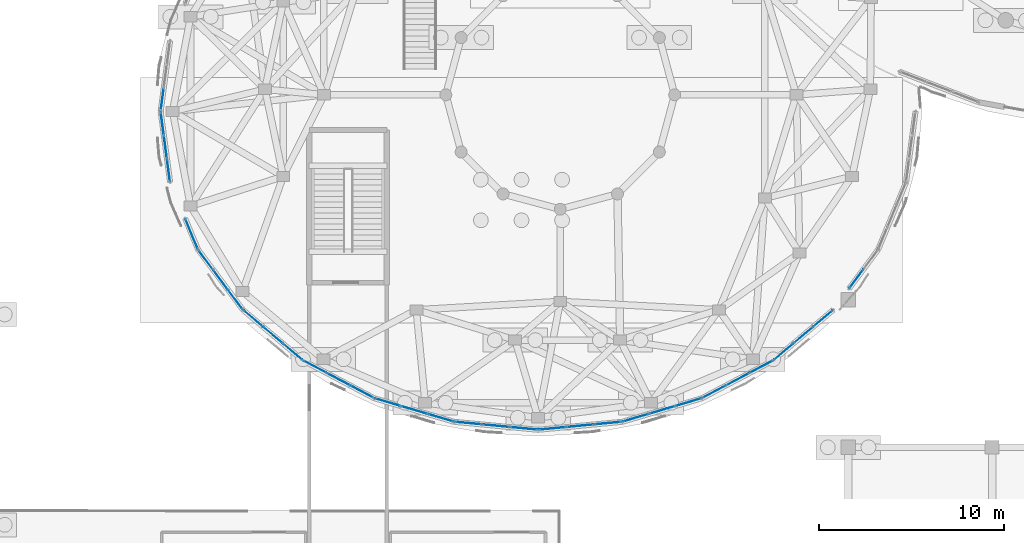
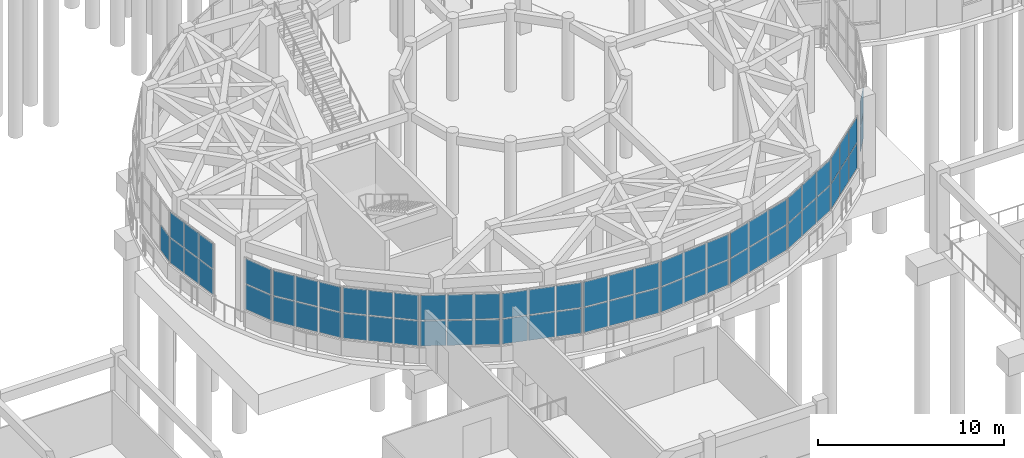
# One storey, part 59 of 96: 65 plates, 13 elements without a shape of their own.
"""IFC4 building model written with IfcOpenShell, lengths in metres."""

from ifc_helpers import new_model, si_unit, direction, frame, origin, origin_2d, place, context, subcontext, project, spatial, rectangle, extrude, material, layer, layer_set, type_object, element, aggregate, save


model = new_model("IFC4")

# Units and contexts
model_context = context("Model", 3, precision=1e-05, world=origin(), true_north=direction((0.0, 1.0)))
body_context = subcontext(model_context, "Body", "Model", "MODEL_VIEW")
ifc_project = project(units=[si_unit("LENGTHUNIT", "METRE"), si_unit("AREAUNIT", "SQUARE_METRE"), si_unit("VOLUMEUNIT", "CUBIC_METRE"), si_unit("PLANEANGLEUNIT", "RADIAN"), si_unit("MASSUNIT", "GRAM", prefix="KILO")], contexts=[model_context])

# Site, building, storey
site_placement = place(None, origin())
site = spatial("IfcSite", under=ifc_project, at=site_placement, CompositionType="ELEMENT")
building_placement = place(site_placement, origin())
building = spatial("IfcBuilding", under=site, at=building_placement, Name="Pelvatis Terrace Science Centre", CompositionType="ELEMENT")
storey_placement = place(building_placement, origin())
storey = spatial("IfcBuildingStorey", under=building, at=storey_placement, Name="L00", CompositionType="ELEMENT", Elevation=0.0)

# Curtain wall, plate
ifc_material_1 = material(Name="Bronze-anodised aluminium and laminated glass", Category="aluminium")
ifc_layer_1 = layer(ifc_material_1, 0.179931640625)
ifc_layer_set_1 = layer_set([ifc_layer_1], Name="Bronze-anodised aluminium and laminated glass")
curtain_wall_type = type_object("IfcCurtainWallType", Name="CW-RIBBON-A", PredefinedType="NOTDEFINED", material=ifc_layer_set_1)
curtain_wall_1_placement = place(storey_placement, origin())
curtain_wall_1 = element("IfcCurtainWall", 1, at=curtain_wall_1_placement, inside=storey, type_object=curtain_wall_type, Name="Ribbon curtain wall CW-007 (L00)", PredefinedType="NOTDEFINED")
ifc_material_2 = material(Name="Low-e laminated solar-control double glazing", Category="glass")
ifc_layer_2 = layer(ifc_material_2, 0.028076171875)
ifc_layer_set_2 = layer_set([ifc_layer_2], Name="Low-e laminated solar-control double glazing")
plate_type = type_object("IfcPlateType", Name="CWP-IGU-28", PredefinedType="CURTAIN_PANEL", material=ifc_layer_set_2)
plate_1_placement = place(storey_placement, frame((25.237548828125, 34.854736328125, 1.080078125), z_axis=(0.0, 0.0, 1.0), x_axis=(-0.132392059832, -0.991197428615, 0.0)))
plate_1 = element("IfcPlate", 2, at=plate_1_placement, type_object=plate_type, Name="CW-007 panel 3.1", PredefinedType="CURTAIN_PANEL", context=body_context, shape_type="SweptSolid", body=[
    extrude(rectangle(XDim=1.200927734375, YDim=0.028076171875, at=origin_2d()), origin(), (0.0, 0.0, 1.0), 1.6298828125),
])
aggregate(curtain_wall_1, [plate_1])

# Curtain wall, plates
curtain_wall_2_placement = place(storey_placement, origin())
curtain_wall_2 = element("IfcCurtainWall", 3, at=curtain_wall_2_placement, inside=storey, type_object=curtain_wall_type, Name="Ribbon curtain wall CW-008 (L00)", PredefinedType="NOTDEFINED")
plate_2_placement = place(storey_placement, frame((25.237548828125, 33.54541015625, 1.080078125), z_axis=(0.0, 0.0, 1.0), x_axis=(0.132392059832, -0.991197428615, 0.0)))
plate_2 = element("IfcPlate", 4, at=plate_2_placement, type_object=plate_type, Name="CW-008 panel 1.1", PredefinedType="CURTAIN_PANEL", context=body_context, shape_type="SweptSolid", body=[
    extrude(rectangle(XDim=1.200927734375, YDim=0.028076171875, at=origin_2d()), origin(), (0.0, 0.0, 1.0), 1.6298828125),
])
plate_3_placement = place(storey_placement, frame((25.237548828125, 33.54541015625, 2.77001953125), z_axis=(0.0, 0.0, 1.0), x_axis=(0.132392059832, -0.991197428615, 0.0)))
plate_3 = element("IfcPlate", 5, at=plate_3_placement, type_object=plate_type, Name="CW-008 panel 1.2", PredefinedType="CURTAIN_PANEL", context=body_context, shape_type="SweptSolid", body=[
    extrude(rectangle(XDim=1.200927734375, YDim=0.028076171875, at=origin_2d()), origin(), (0.0, 0.0, 1.0), 1.6298828125),
])
plate_4_placement = place(storey_placement, frame((25.40625, 32.28076171875, 1.080078125), z_axis=(0.0, 0.0, 1.0), x_axis=(0.132392059832, -0.991197428615, 0.0)))
plate_4 = element("IfcPlate", 6, at=plate_4_placement, type_object=plate_type, Name="CW-008 panel 2.1", PredefinedType="CURTAIN_PANEL", context=body_context, shape_type="SweptSolid", body=[
    extrude(rectangle(XDim=1.23095703125, YDim=0.028076171875, at=origin_2d()), origin(), (0.0, 0.0, 1.0), 1.6298828125),
])
plate_5_placement = place(storey_placement, frame((25.40625, 32.28076171875, 2.77001953125), z_axis=(0.0, 0.0, 1.0), x_axis=(0.132392059832, -0.991197428615, 0.0)))
plate_5 = element("IfcPlate", 7, at=plate_5_placement, type_object=plate_type, Name="CW-008 panel 2.2", PredefinedType="CURTAIN_PANEL", context=body_context, shape_type="SweptSolid", body=[
    extrude(rectangle(XDim=1.23095703125, YDim=0.028076171875, at=origin_2d()), origin(), (0.0, 0.0, 1.0), 1.6298828125),
])
plate_6_placement = place(storey_placement, frame((25.5751953125, 31.01611328125, 1.080078125), z_axis=(0.0, 0.0, 1.0), x_axis=(0.132392059832, -0.991197428615, 0.0)))
plate_6 = element("IfcPlate", 8, at=plate_6_placement, type_object=plate_type, Name="CW-008 panel 3.1", PredefinedType="CURTAIN_PANEL", context=body_context, shape_type="SweptSolid", body=[
    extrude(rectangle(XDim=1.200927734375, YDim=0.028076171875, at=origin_2d()), origin(), (0.0, 0.0, 1.0), 1.6298828125),
])
plate_7_placement = place(storey_placement, frame((25.5751953125, 31.01611328125, 2.77001953125), z_axis=(0.0, 0.0, 1.0), x_axis=(0.132392059832, -0.991197428615, 0.0)))
plate_7 = element("IfcPlate", 9, at=plate_7_placement, type_object=plate_type, Name="CW-008 panel 3.2", PredefinedType="CURTAIN_PANEL", context=body_context, shape_type="SweptSolid", body=[
    extrude(rectangle(XDim=1.200927734375, YDim=0.028076171875, at=origin_2d()), origin(), (0.0, 0.0, 1.0), 1.6298828125),
])
aggregate(curtain_wall_2, [plate_2, plate_3, plate_4, plate_5, plate_6, plate_7])

curtain_wall_3_placement = place(storey_placement, origin())
curtain_wall_3 = element("IfcCurtainWall", 10, at=curtain_wall_3_placement, inside=storey, type_object=curtain_wall_type, Name="Ribbon curtain wall CW-009 (L00)", PredefinedType="NOTDEFINED")
plate_8_placement = place(storey_placement, frame((26.824462890625, 27.56103515625, 1.080078125), z_axis=(0.0, 0.0, 1.0), x_axis=(0.383179855854, -0.923673750881, 0.0)))
plate_8 = element("IfcPlate", 11, at=plate_8_placement, type_object=plate_type, Name="CW-009 panel 1.1", PredefinedType="CURTAIN_PANEL", context=body_context, shape_type="SweptSolid", body=[
    extrude(rectangle(XDim=1.710693359375, YDim=0.028076171875, at=origin_2d()), origin(), (0.0, 0.0, 1.0), 1.6298828125),
])
plate_9_placement = place(storey_placement, frame((26.824462890625, 27.56103515625, 2.77001953125), z_axis=(0.0, 0.0, 1.0), x_axis=(0.383179855854, -0.923673750881, 0.0)))
plate_9 = element("IfcPlate", 12, at=plate_9_placement, type_object=plate_type, Name="CW-009 panel 1.2", PredefinedType="CURTAIN_PANEL", context=body_context, shape_type="SweptSolid", body=[
    extrude(rectangle(XDim=1.710693359375, YDim=0.028076171875, at=origin_2d()), origin(), (0.0, 0.0, 1.0), 1.6298828125),
])
aggregate(curtain_wall_3, [plate_8, plate_9])

curtain_wall_4_placement = place(storey_placement, origin())
curtain_wall_4 = element("IfcCurtainWall", 13, at=curtain_wall_4_placement, inside=storey, type_object=curtain_wall_type, Name="Ribbon curtain wall CW-010 (L00)", PredefinedType="NOTDEFINED")
plate_10_placement = place(storey_placement, frame((27.59033203125, 26.158447265625, 1.080078125), z_axis=(0.0, 0.0, 1.0), x_axis=(0.597372187903, -0.801964132065, 0.0)))
plate_10 = element("IfcPlate", 14, at=plate_10_placement, type_object=plate_type, Name="CW-010 panel 1.1", PredefinedType="CURTAIN_PANEL", context=body_context, shape_type="SweptSolid", body=[
    extrude(rectangle(XDim=1.26953125, YDim=0.028076171875, at=origin_2d()), origin(), (0.0, 0.0, 1.0), 1.6298828125),
])
plate_11_placement = place(storey_placement, frame((27.59033203125, 26.158447265625, 2.77001953125), z_axis=(0.0, 0.0, 1.0), x_axis=(0.597372187903, -0.801964132065, 0.0)))
plate_11 = element("IfcPlate", 15, at=plate_11_placement, type_object=plate_type, Name="CW-010 panel 1.2", PredefinedType="CURTAIN_PANEL", context=body_context, shape_type="SweptSolid", body=[
    extrude(rectangle(XDim=1.26953125, YDim=0.028076171875, at=origin_2d()), origin(), (0.0, 0.0, 1.0), 1.6298828125),
])
plate_12_placement = place(storey_placement, frame((28.393310546875, 25.080078125, 1.080078125), z_axis=(0.0, 0.0, 1.0), x_axis=(0.597372187903, -0.801964132065, 0.0)))
plate_12 = element("IfcPlate", 16, at=plate_12_placement, type_object=plate_type, Name="CW-010 panel 2.1", PredefinedType="CURTAIN_PANEL", context=body_context, shape_type="SweptSolid", body=[
    extrude(rectangle(XDim=1.299560546875, YDim=0.028076171875, at=origin_2d()), origin(), (0.0, 0.0, 1.0), 1.6298828125),
])
plate_13_placement = place(storey_placement, frame((28.393310546875, 25.080078125, 2.77001953125), z_axis=(0.0, 0.0, 1.0), x_axis=(0.597372187903, -0.801964132065, 0.0)))
plate_13 = element("IfcPlate", 17, at=plate_13_placement, type_object=plate_type, Name="CW-010 panel 2.2", PredefinedType="CURTAIN_PANEL", context=body_context, shape_type="SweptSolid", body=[
    extrude(rectangle(XDim=1.299560546875, YDim=0.028076171875, at=origin_2d()), origin(), (0.0, 0.0, 1.0), 1.6298828125),
])
plate_14_placement = place(storey_placement, frame((29.196533203125, 24.001953125, 1.080078125), z_axis=(0.0, 0.0, 1.0), x_axis=(0.597372187903, -0.801964132065, 0.0)))
plate_14 = element("IfcPlate", 18, at=plate_14_placement, type_object=plate_type, Name="CW-010 panel 3.1", PredefinedType="CURTAIN_PANEL", context=body_context, shape_type="SweptSolid", body=[
    extrude(rectangle(XDim=1.26953125, YDim=0.028076171875, at=origin_2d()), origin(), (0.0, 0.0, 1.0), 1.6298828125),
])
plate_15_placement = place(storey_placement, frame((29.196533203125, 24.001953125, 2.77001953125), z_axis=(0.0, 0.0, 1.0), x_axis=(0.597372187903, -0.801964132065, 0.0)))
plate_15 = element("IfcPlate", 19, at=plate_15_placement, type_object=plate_type, Name="CW-010 panel 3.2", PredefinedType="CURTAIN_PANEL", context=body_context, shape_type="SweptSolid", body=[
    extrude(rectangle(XDim=1.26953125, YDim=0.028076171875, at=origin_2d()), origin(), (0.0, 0.0, 1.0), 1.6298828125),
])
aggregate(curtain_wall_4, [plate_10, plate_11, plate_12, plate_13, plate_14, plate_15])

curtain_wall_5_placement = place(storey_placement, origin())
curtain_wall_5 = element("IfcCurtainWall", 20, at=curtain_wall_5_placement, inside=storey, type_object=curtain_wall_type, Name="Ribbon curtain wall CW-011 (L00)", PredefinedType="NOTDEFINED")
plate_16_placement = place(storey_placement, frame((30.16259765625, 22.97998046875, 1.080078125), z_axis=(0.0, 0.0, 1.0), x_axis=(0.764378372192, -0.64476794595, 0.0)))
plate_16 = element("IfcPlate", 21, at=plate_16_placement, type_object=plate_type, Name="CW-011 panel 1.1", PredefinedType="CURTAIN_PANEL", context=body_context, shape_type="SweptSolid", body=[
    extrude(rectangle(XDim=1.322021484375, YDim=0.028076171875, at=origin_2d()), origin(), (0.0, 0.0, 1.0), 1.6298828125),
])
plate_17_placement = place(storey_placement, frame((30.16259765625, 22.97998046875, 2.77001953125), z_axis=(0.0, 0.0, 1.0), x_axis=(0.764378372192, -0.64476794595, 0.0)))
plate_17 = element("IfcPlate", 22, at=plate_17_placement, type_object=plate_type, Name="CW-011 panel 1.2", PredefinedType="CURTAIN_PANEL", context=body_context, shape_type="SweptSolid", body=[
    extrude(rectangle(XDim=1.322021484375, YDim=0.028076171875, at=origin_2d()), origin(), (0.0, 0.0, 1.0), 1.6298828125),
])
plate_18_placement = place(storey_placement, frame((31.23046875, 22.0791015625, 1.080078125), z_axis=(0.0, 0.0, 1.0), x_axis=(0.764378372192, -0.64476794595, 0.0)))
plate_18 = element("IfcPlate", 23, at=plate_18_placement, type_object=plate_type, Name="CW-011 panel 2.1", PredefinedType="CURTAIN_PANEL", context=body_context, shape_type="SweptSolid", body=[
    extrude(rectangle(XDim=1.35205078125, YDim=0.028076171875, at=origin_2d()), origin(), (0.0, 0.0, 1.0), 1.6298828125),
])
plate_19_placement = place(storey_placement, frame((31.23046875, 22.0791015625, 2.77001953125), z_axis=(0.0, 0.0, 1.0), x_axis=(0.764378372192, -0.64476794595, 0.0)))
plate_19 = element("IfcPlate", 24, at=plate_19_placement, type_object=plate_type, Name="CW-011 panel 2.2", PredefinedType="CURTAIN_PANEL", context=body_context, shape_type="SweptSolid", body=[
    extrude(rectangle(XDim=1.35205078125, YDim=0.028076171875, at=origin_2d()), origin(), (0.0, 0.0, 1.0), 1.6298828125),
])
plate_20_placement = place(storey_placement, frame((32.29833984375, 21.17822265625, 1.080078125), z_axis=(0.0, 0.0, 1.0), x_axis=(0.764378372192, -0.64476794595, 0.0)))
plate_20 = element("IfcPlate", 25, at=plate_20_placement, type_object=plate_type, Name="CW-011 panel 3.1", PredefinedType="CURTAIN_PANEL", context=body_context, shape_type="SweptSolid", body=[
    extrude(rectangle(XDim=1.322021484375, YDim=0.028076171875, at=origin_2d()), origin(), (0.0, 0.0, 1.0), 1.6298828125),
])
plate_21_placement = place(storey_placement, frame((32.29833984375, 21.17822265625, 2.77001953125), z_axis=(0.0, 0.0, 1.0), x_axis=(0.764378372192, -0.64476794595, 0.0)))
plate_21 = element("IfcPlate", 26, at=plate_21_placement, type_object=plate_type, Name="CW-011 panel 3.2", PredefinedType="CURTAIN_PANEL", context=body_context, shape_type="SweptSolid", body=[
    extrude(rectangle(XDim=1.322021484375, YDim=0.028076171875, at=origin_2d()), origin(), (0.0, 0.0, 1.0), 1.6298828125),
])
aggregate(curtain_wall_5, [plate_16, plate_17, plate_18, plate_19, plate_20, plate_21])

curtain_wall_6_placement = place(storey_placement, origin())
curtain_wall_6 = element("IfcCurtainWall", 27, at=curtain_wall_6_placement, inside=storey, type_object=curtain_wall_type, Name="Ribbon curtain wall CW-012 (L00)", PredefinedType="NOTDEFINED")
plate_22_placement = place(storey_placement, frame((33.509033203125, 20.36376953125, 1.080078125), z_axis=(0.0, 0.0, 1.0), x_axis=(0.88357054279, -0.468298084466, 0.0)))
plate_22 = element("IfcPlate", 28, at=plate_22_placement, type_object=plate_type, Name="CW-012 panel 1.1", PredefinedType="CURTAIN_PANEL", context=body_context, shape_type="SweptSolid", body=[
    extrude(rectangle(XDim=1.372802734375, YDim=0.028076171875, at=origin_2d()), origin(), (0.0, 0.0, 1.0), 1.6298828125),
])
plate_23_placement = place(storey_placement, frame((33.509033203125, 20.36376953125, 2.77001953125), z_axis=(0.0, 0.0, 1.0), x_axis=(0.88357054279, -0.468298084466, 0.0)))
plate_23 = element("IfcPlate", 29, at=plate_23_placement, type_object=plate_type, Name="CW-012 panel 1.2", PredefinedType="CURTAIN_PANEL", context=body_context, shape_type="SweptSolid", body=[
    extrude(rectangle(XDim=1.372802734375, YDim=0.028076171875, at=origin_2d()), origin(), (0.0, 0.0, 1.0), 1.6298828125),
])
plate_24_placement = place(storey_placement, frame((34.788330078125, 19.685791015625, 1.080078125), z_axis=(0.0, 0.0, 1.0), x_axis=(0.88357054279, -0.468298084466, 0.0)))
plate_24 = element("IfcPlate", 30, at=plate_24_placement, type_object=plate_type, Name="CW-012 panel 2.1", PredefinedType="CURTAIN_PANEL", context=body_context, shape_type="SweptSolid", body=[
    extrude(rectangle(XDim=1.40283203125, YDim=0.028076171875, at=origin_2d()), origin(), (0.0, 0.0, 1.0), 1.6298828125),
])
plate_25_placement = place(storey_placement, frame((34.788330078125, 19.685791015625, 2.77001953125), z_axis=(0.0, 0.0, 1.0), x_axis=(0.88357054279, -0.468298084466, 0.0)))
plate_25 = element("IfcPlate", 31, at=plate_25_placement, type_object=plate_type, Name="CW-012 panel 2.2", PredefinedType="CURTAIN_PANEL", context=body_context, shape_type="SweptSolid", body=[
    extrude(rectangle(XDim=1.40283203125, YDim=0.028076171875, at=origin_2d()), origin(), (0.0, 0.0, 1.0), 1.6298828125),
])
plate_26_placement = place(storey_placement, frame((36.067626953125, 19.0078125, 1.080078125), z_axis=(0.0, 0.0, 1.0), x_axis=(0.88357054279, -0.468298084466, 0.0)))
plate_26 = element("IfcPlate", 32, at=plate_26_placement, type_object=plate_type, Name="CW-012 panel 3.1", PredefinedType="CURTAIN_PANEL", context=body_context, shape_type="SweptSolid", body=[
    extrude(rectangle(XDim=1.372802734375, YDim=0.028076171875, at=origin_2d()), origin(), (0.0, 0.0, 1.0), 1.6298828125),
])
plate_27_placement = place(storey_placement, frame((36.067626953125, 19.0078125, 2.77001953125), z_axis=(0.0, 0.0, 1.0), x_axis=(0.88357054279, -0.468298084466, 0.0)))
plate_27 = element("IfcPlate", 33, at=plate_27_placement, type_object=plate_type, Name="CW-012 panel 3.2", PredefinedType="CURTAIN_PANEL", context=body_context, shape_type="SweptSolid", body=[
    extrude(rectangle(XDim=1.372802734375, YDim=0.028076171875, at=origin_2d()), origin(), (0.0, 0.0, 1.0), 1.6298828125),
])
aggregate(curtain_wall_6, [plate_22, plate_23, plate_24, plate_25, plate_26, plate_27])

curtain_wall_7_placement = place(storey_placement, origin())
curtain_wall_7 = element("IfcCurtainWall", 34, at=curtain_wall_7_placement, inside=storey, type_object=curtain_wall_type, Name="Ribbon curtain wall CW-013 (L00)", PredefinedType="NOTDEFINED")
plate_28_placement = place(storey_placement, frame((37.4619140625, 18.44140625, 1.080078125), z_axis=(0.0, 0.0, 1.0), x_axis=(0.959092633575, -0.283092423463, 0.0)))
plate_28 = element("IfcPlate", 35, at=plate_28_placement, type_object=plate_type, Name="CW-013 panel 1.1", PredefinedType="CURTAIN_PANEL", context=body_context, shape_type="SweptSolid", body=[
    extrude(rectangle(XDim=1.412109375, YDim=0.028076171875, at=origin_2d()), origin(), (0.0, 0.0, 1.0), 1.6298828125),
])
plate_29_placement = place(storey_placement, frame((37.4619140625, 18.44140625, 2.77001953125), z_axis=(0.0, 0.0, 1.0), x_axis=(0.959092633575, -0.283092423463, 0.0)))
plate_29 = element("IfcPlate", 36, at=plate_29_placement, type_object=plate_type, Name="CW-013 panel 1.2", PredefinedType="CURTAIN_PANEL", context=body_context, shape_type="SweptSolid", body=[
    extrude(rectangle(XDim=1.412109375, YDim=0.028076171875, at=origin_2d()), origin(), (0.0, 0.0, 1.0), 1.6298828125),
])
plate_30_placement = place(storey_placement, frame((38.88818359375, 18.0205078125, 1.080078125), z_axis=(0.0, 0.0, 1.0), x_axis=(0.959092633575, -0.283092423463, 0.0)))
plate_30 = element("IfcPlate", 37, at=plate_30_placement, type_object=plate_type, Name="CW-013 panel 2.1", PredefinedType="CURTAIN_PANEL", context=body_context, shape_type="SweptSolid", body=[
    extrude(rectangle(XDim=1.442138671875, YDim=0.028076171875, at=origin_2d()), origin(), (0.0, 0.0, 1.0), 1.6298828125),
])
plate_31_placement = place(storey_placement, frame((38.88818359375, 18.0205078125, 2.77001953125), z_axis=(0.0, 0.0, 1.0), x_axis=(0.959092633575, -0.283092423463, 0.0)))
plate_31 = element("IfcPlate", 38, at=plate_31_placement, type_object=plate_type, Name="CW-013 panel 2.2", PredefinedType="CURTAIN_PANEL", context=body_context, shape_type="SweptSolid", body=[
    extrude(rectangle(XDim=1.442138671875, YDim=0.028076171875, at=origin_2d()), origin(), (0.0, 0.0, 1.0), 1.6298828125),
])
plate_32_placement = place(storey_placement, frame((40.314697265625, 17.599365234375, 1.080078125), z_axis=(0.0, 0.0, 1.0), x_axis=(0.959092633575, -0.283092423463, 0.0)))
plate_32 = element("IfcPlate", 39, at=plate_32_placement, type_object=plate_type, Name="CW-013 panel 3.1", PredefinedType="CURTAIN_PANEL", context=body_context, shape_type="SweptSolid", body=[
    extrude(rectangle(XDim=1.412109375, YDim=0.028076171875, at=origin_2d()), origin(), (0.0, 0.0, 1.0), 1.6298828125),
])
plate_33_placement = place(storey_placement, frame((40.314697265625, 17.599365234375, 2.77001953125), z_axis=(0.0, 0.0, 1.0), x_axis=(0.959092633575, -0.283092423463, 0.0)))
plate_33 = element("IfcPlate", 40, at=plate_33_placement, type_object=plate_type, Name="CW-013 panel 3.2", PredefinedType="CURTAIN_PANEL", context=body_context, shape_type="SweptSolid", body=[
    extrude(rectangle(XDim=1.412109375, YDim=0.028076171875, at=origin_2d()), origin(), (0.0, 0.0, 1.0), 1.6298828125),
])
aggregate(curtain_wall_7, [plate_28, plate_29, plate_30, plate_31, plate_32, plate_33])

curtain_wall_8_placement = place(storey_placement, origin())
curtain_wall_8 = element("IfcCurtainWall", 41, at=curtain_wall_8_placement, inside=storey, type_object=curtain_wall_type, Name="Ribbon curtain wall CW-014 (L00)", PredefinedType="NOTDEFINED")
plate_34_placement = place(storey_placement, frame((41.82275390625, 17.30908203125, 1.080078125), z_axis=(0.0, 0.0, 1.0), x_axis=(0.995513840001, -0.094616036521, 0.0)))
plate_34 = element("IfcPlate", 42, at=plate_34_placement, type_object=plate_type, Name="CW-014 panel 1.1", PredefinedType="CURTAIN_PANEL", context=body_context, shape_type="SweptSolid", body=[
    extrude(rectangle(XDim=1.43359375, YDim=0.028076171875, at=origin_2d()), origin(), (0.0, 0.0, 1.0), 1.6298828125),
])
plate_35_placement = place(storey_placement, frame((41.82275390625, 17.30908203125, 2.77001953125), z_axis=(0.0, 0.0, 1.0), x_axis=(0.995513840001, -0.094616036521, 0.0)))
plate_35 = element("IfcPlate", 43, at=plate_35_placement, type_object=plate_type, Name="CW-014 panel 1.2", PredefinedType="CURTAIN_PANEL", context=body_context, shape_type="SweptSolid", body=[
    extrude(rectangle(XDim=1.43359375, YDim=0.028076171875, at=origin_2d()), origin(), (0.0, 0.0, 1.0), 1.6298828125),
])
plate_36_placement = place(storey_placement, frame((43.32470703125, 17.166259765625, 1.080078125), z_axis=(0.0, 0.0, 1.0), x_axis=(0.995513840001, -0.094616036521, 0.0)))
plate_36 = element("IfcPlate", 44, at=plate_36_placement, type_object=plate_type, Name="CW-014 panel 2.1", PredefinedType="CURTAIN_PANEL", context=body_context, shape_type="SweptSolid", body=[
    extrude(rectangle(XDim=1.463623046875, YDim=0.028076171875, at=origin_2d()), origin(), (0.0, 0.0, 1.0), 1.6298828125),
])
plate_37_placement = place(storey_placement, frame((43.32470703125, 17.166259765625, 2.77001953125), z_axis=(0.0, 0.0, 1.0), x_axis=(0.995513840001, -0.094616036521, 0.0)))
plate_37 = element("IfcPlate", 45, at=plate_37_placement, type_object=plate_type, Name="CW-014 panel 2.2", PredefinedType="CURTAIN_PANEL", context=body_context, shape_type="SweptSolid", body=[
    extrude(rectangle(XDim=1.463623046875, YDim=0.028076171875, at=origin_2d()), origin(), (0.0, 0.0, 1.0), 1.6298828125),
])
plate_38_placement = place(storey_placement, frame((44.82666015625, 17.0234375, 1.080078125), z_axis=(0.0, 0.0, 1.0), x_axis=(0.995513840001, -0.094616036521, 0.0)))
plate_38 = element("IfcPlate", 46, at=plate_38_placement, type_object=plate_type, Name="CW-014 panel 3.1", PredefinedType="CURTAIN_PANEL", context=body_context, shape_type="SweptSolid", body=[
    extrude(rectangle(XDim=1.43359375, YDim=0.028076171875, at=origin_2d()), origin(), (0.0, 0.0, 1.0), 1.6298828125),
])
plate_39_placement = place(storey_placement, frame((44.82666015625, 17.0234375, 2.77001953125), z_axis=(0.0, 0.0, 1.0), x_axis=(0.995513840001, -0.094616036521, 0.0)))
plate_39 = element("IfcPlate", 47, at=plate_39_placement, type_object=plate_type, Name="CW-014 panel 3.2", PredefinedType="CURTAIN_PANEL", context=body_context, shape_type="SweptSolid", body=[
    extrude(rectangle(XDim=1.43359375, YDim=0.028076171875, at=origin_2d()), origin(), (0.0, 0.0, 1.0), 1.6298828125),
])
aggregate(curtain_wall_8, [plate_34, plate_35, plate_36, plate_37, plate_38, plate_39])

curtain_wall_9_placement = place(storey_placement, origin())
curtain_wall_9 = element("IfcCurtainWall", 48, at=curtain_wall_9_placement, inside=storey, type_object=curtain_wall_type, Name="Ribbon curtain wall CW-015 (L00)", PredefinedType="NOTDEFINED")
plate_40_placement = place(storey_placement, frame((46.373291015625, 17.0234375, 1.080078125), z_axis=(0.0, 0.0, 1.0), x_axis=(0.995513840001, 0.094616036521, 0.0)))
plate_40 = element("IfcPlate", 49, at=plate_40_placement, type_object=plate_type, Name="CW-015 panel 1.1", PredefinedType="CURTAIN_PANEL", context=body_context, shape_type="SweptSolid", body=[
    extrude(rectangle(XDim=1.43359375, YDim=0.028076171875, at=origin_2d()), origin(), (0.0, 0.0, 1.0), 1.6298828125),
])
plate_41_placement = place(storey_placement, frame((46.373291015625, 17.0234375, 2.77001953125), z_axis=(0.0, 0.0, 1.0), x_axis=(0.995513840001, 0.094616036521, 0.0)))
plate_41 = element("IfcPlate", 50, at=plate_41_placement, type_object=plate_type, Name="CW-015 panel 1.2", PredefinedType="CURTAIN_PANEL", context=body_context, shape_type="SweptSolid", body=[
    extrude(rectangle(XDim=1.43359375, YDim=0.028076171875, at=origin_2d()), origin(), (0.0, 0.0, 1.0), 1.6298828125),
])
plate_42_placement = place(storey_placement, frame((47.875244140625, 17.166259765625, 1.080078125), z_axis=(0.0, 0.0, 1.0), x_axis=(0.995513840001, 0.094616036521, 0.0)))
plate_42 = element("IfcPlate", 51, at=plate_42_placement, type_object=plate_type, Name="CW-015 panel 2.1", PredefinedType="CURTAIN_PANEL", context=body_context, shape_type="SweptSolid", body=[
    extrude(rectangle(XDim=1.463623046875, YDim=0.028076171875, at=origin_2d()), origin(), (0.0, 0.0, 1.0), 1.6298828125),
])
plate_43_placement = place(storey_placement, frame((47.875244140625, 17.166259765625, 2.77001953125), z_axis=(0.0, 0.0, 1.0), x_axis=(0.995513840001, 0.094616036521, 0.0)))
plate_43 = element("IfcPlate", 52, at=plate_43_placement, type_object=plate_type, Name="CW-015 panel 2.2", PredefinedType="CURTAIN_PANEL", context=body_context, shape_type="SweptSolid", body=[
    extrude(rectangle(XDim=1.463623046875, YDim=0.028076171875, at=origin_2d()), origin(), (0.0, 0.0, 1.0), 1.6298828125),
])
plate_44_placement = place(storey_placement, frame((49.377197265625, 17.30908203125, 1.080078125), z_axis=(0.0, 0.0, 1.0), x_axis=(0.995513840001, 0.094616036521, 0.0)))
plate_44 = element("IfcPlate", 53, at=plate_44_placement, type_object=plate_type, Name="CW-015 panel 3.1", PredefinedType="CURTAIN_PANEL", context=body_context, shape_type="SweptSolid", body=[
    extrude(rectangle(XDim=1.43359375, YDim=0.028076171875, at=origin_2d()), origin(), (0.0, 0.0, 1.0), 1.6298828125),
])
plate_45_placement = place(storey_placement, frame((49.377197265625, 17.30908203125, 2.77001953125), z_axis=(0.0, 0.0, 1.0), x_axis=(0.995513840001, 0.094616036521, 0.0)))
plate_45 = element("IfcPlate", 54, at=plate_45_placement, type_object=plate_type, Name="CW-015 panel 3.2", PredefinedType="CURTAIN_PANEL", context=body_context, shape_type="SweptSolid", body=[
    extrude(rectangle(XDim=1.43359375, YDim=0.028076171875, at=origin_2d()), origin(), (0.0, 0.0, 1.0), 1.6298828125),
])
aggregate(curtain_wall_9, [plate_40, plate_41, plate_42, plate_43, plate_44, plate_45])

curtain_wall_10_placement = place(storey_placement, origin())
curtain_wall_10 = element("IfcCurtainWall", 55, at=curtain_wall_10_placement, inside=storey, type_object=curtain_wall_type, Name="Ribbon curtain wall CW-016 (L00)", PredefinedType="NOTDEFINED")
plate_46_placement = place(storey_placement, frame((50.88525390625, 17.599365234375, 1.080078125), z_axis=(0.0, 0.0, 1.0), x_axis=(0.959092633575, 0.283092423463, 0.0)))
plate_46 = element("IfcPlate", 56, at=plate_46_placement, type_object=plate_type, Name="CW-016 panel 1.1", PredefinedType="CURTAIN_PANEL", context=body_context, shape_type="SweptSolid", body=[
    extrude(rectangle(XDim=1.412109375, YDim=0.028076171875, at=origin_2d()), origin(), (0.0, 0.0, 1.0), 1.6298828125),
])
plate_47_placement = place(storey_placement, frame((50.88525390625, 17.599365234375, 2.77001953125), z_axis=(0.0, 0.0, 1.0), x_axis=(0.959092633575, 0.283092423463, 0.0)))
plate_47 = element("IfcPlate", 57, at=plate_47_placement, type_object=plate_type, Name="CW-016 panel 1.2", PredefinedType="CURTAIN_PANEL", context=body_context, shape_type="SweptSolid", body=[
    extrude(rectangle(XDim=1.412109375, YDim=0.028076171875, at=origin_2d()), origin(), (0.0, 0.0, 1.0), 1.6298828125),
])
plate_48_placement = place(storey_placement, frame((52.311767578125, 18.0205078125, 1.080078125), z_axis=(0.0, 0.0, 1.0), x_axis=(0.959092633575, 0.283092423463, 0.0)))
plate_48 = element("IfcPlate", 58, at=plate_48_placement, type_object=plate_type, Name="CW-016 panel 2.1", PredefinedType="CURTAIN_PANEL", context=body_context, shape_type="SweptSolid", body=[
    extrude(rectangle(XDim=1.442138671875, YDim=0.028076171875, at=origin_2d()), origin(), (0.0, 0.0, 1.0), 1.6298828125),
])
plate_49_placement = place(storey_placement, frame((52.311767578125, 18.0205078125, 2.77001953125), z_axis=(0.0, 0.0, 1.0), x_axis=(0.959092633575, 0.283092423463, 0.0)))
plate_49 = element("IfcPlate", 59, at=plate_49_placement, type_object=plate_type, Name="CW-016 panel 2.2", PredefinedType="CURTAIN_PANEL", context=body_context, shape_type="SweptSolid", body=[
    extrude(rectangle(XDim=1.442138671875, YDim=0.028076171875, at=origin_2d()), origin(), (0.0, 0.0, 1.0), 1.6298828125),
])
plate_50_placement = place(storey_placement, frame((53.738037109375, 18.44140625, 1.080078125), z_axis=(0.0, 0.0, 1.0), x_axis=(0.959092633575, 0.283092423463, 0.0)))
plate_50 = element("IfcPlate", 60, at=plate_50_placement, type_object=plate_type, Name="CW-016 panel 3.1", PredefinedType="CURTAIN_PANEL", context=body_context, shape_type="SweptSolid", body=[
    extrude(rectangle(XDim=1.412109375, YDim=0.028076171875, at=origin_2d()), origin(), (0.0, 0.0, 1.0), 1.6298828125),
])
plate_51_placement = place(storey_placement, frame((53.738037109375, 18.44140625, 2.77001953125), z_axis=(0.0, 0.0, 1.0), x_axis=(0.959092633575, 0.283092423463, 0.0)))
plate_51 = element("IfcPlate", 61, at=plate_51_placement, type_object=plate_type, Name="CW-016 panel 3.2", PredefinedType="CURTAIN_PANEL", context=body_context, shape_type="SweptSolid", body=[
    extrude(rectangle(XDim=1.412109375, YDim=0.028076171875, at=origin_2d()), origin(), (0.0, 0.0, 1.0), 1.6298828125),
])
aggregate(curtain_wall_10, [plate_46, plate_47, plate_48, plate_49, plate_50, plate_51])

curtain_wall_11_placement = place(storey_placement, origin())
curtain_wall_11 = element("IfcCurtainWall", 62, at=curtain_wall_11_placement, inside=storey, type_object=curtain_wall_type, Name="Ribbon curtain wall CW-017 (L00)", PredefinedType="NOTDEFINED")
plate_52_placement = place(storey_placement, frame((55.13232421875, 19.0078125, 1.080078125), z_axis=(0.0, 0.0, 1.0), x_axis=(0.88357054279, 0.468298084466, 0.0)))
plate_52 = element("IfcPlate", 63, at=plate_52_placement, type_object=plate_type, Name="CW-017 panel 1.1", PredefinedType="CURTAIN_PANEL", context=body_context, shape_type="SweptSolid", body=[
    extrude(rectangle(XDim=1.372802734375, YDim=0.028076171875, at=origin_2d()), origin(), (0.0, 0.0, 1.0), 1.6298828125),
])
plate_53_placement = place(storey_placement, frame((55.13232421875, 19.0078125, 2.77001953125), z_axis=(0.0, 0.0, 1.0), x_axis=(0.88357054279, 0.468298084466, 0.0)))
plate_53 = element("IfcPlate", 64, at=plate_53_placement, type_object=plate_type, Name="CW-017 panel 1.2", PredefinedType="CURTAIN_PANEL", context=body_context, shape_type="SweptSolid", body=[
    extrude(rectangle(XDim=1.372802734375, YDim=0.028076171875, at=origin_2d()), origin(), (0.0, 0.0, 1.0), 1.6298828125),
])
plate_54_placement = place(storey_placement, frame((56.41162109375, 19.685791015625, 1.080078125), z_axis=(0.0, 0.0, 1.0), x_axis=(0.88357054279, 0.468298084466, 0.0)))
plate_54 = element("IfcPlate", 65, at=plate_54_placement, type_object=plate_type, Name="CW-017 panel 2.1", PredefinedType="CURTAIN_PANEL", context=body_context, shape_type="SweptSolid", body=[
    extrude(rectangle(XDim=1.40283203125, YDim=0.028076171875, at=origin_2d()), origin(), (0.0, 0.0, 1.0), 1.6298828125),
])
plate_55_placement = place(storey_placement, frame((56.41162109375, 19.685791015625, 2.77001953125), z_axis=(0.0, 0.0, 1.0), x_axis=(0.88357054279, 0.468298084466, 0.0)))
plate_55 = element("IfcPlate", 66, at=plate_55_placement, type_object=plate_type, Name="CW-017 panel 2.2", PredefinedType="CURTAIN_PANEL", context=body_context, shape_type="SweptSolid", body=[
    extrude(rectangle(XDim=1.40283203125, YDim=0.028076171875, at=origin_2d()), origin(), (0.0, 0.0, 1.0), 1.6298828125),
])
plate_56_placement = place(storey_placement, frame((57.69091796875, 20.36376953125, 1.080078125), z_axis=(0.0, 0.0, 1.0), x_axis=(0.88357054279, 0.468298084466, 0.0)))
plate_56 = element("IfcPlate", 67, at=plate_56_placement, type_object=plate_type, Name="CW-017 panel 3.1", PredefinedType="CURTAIN_PANEL", context=body_context, shape_type="SweptSolid", body=[
    extrude(rectangle(XDim=1.372802734375, YDim=0.028076171875, at=origin_2d()), origin(), (0.0, 0.0, 1.0), 1.6298828125),
])
plate_57_placement = place(storey_placement, frame((57.69091796875, 20.36376953125, 2.77001953125), z_axis=(0.0, 0.0, 1.0), x_axis=(0.88357054279, 0.468298084466, 0.0)))
plate_57 = element("IfcPlate", 68, at=plate_57_placement, type_object=plate_type, Name="CW-017 panel 3.2", PredefinedType="CURTAIN_PANEL", context=body_context, shape_type="SweptSolid", body=[
    extrude(rectangle(XDim=1.372802734375, YDim=0.028076171875, at=origin_2d()), origin(), (0.0, 0.0, 1.0), 1.6298828125),
])
aggregate(curtain_wall_11, [plate_52, plate_53, plate_54, plate_55, plate_56, plate_57])

curtain_wall_12_placement = place(storey_placement, origin())
curtain_wall_12 = element("IfcCurtainWall", 69, at=curtain_wall_12_placement, inside=storey, type_object=curtain_wall_type, Name="Ribbon curtain wall CW-018 (L00)", PredefinedType="NOTDEFINED")
plate_58_placement = place(storey_placement, frame((58.901611328125, 21.17822265625, 1.080078125), z_axis=(0.0, 0.0, 1.0), x_axis=(0.764378372192, 0.64476794595, 0.0)))
plate_58 = element("IfcPlate", 70, at=plate_58_placement, type_object=plate_type, Name="CW-018 panel 1.1", PredefinedType="CURTAIN_PANEL", context=body_context, shape_type="SweptSolid", body=[
    extrude(rectangle(XDim=1.322021484375, YDim=0.028076171875, at=origin_2d()), origin(), (0.0, 0.0, 1.0), 1.6298828125),
])
plate_59_placement = place(storey_placement, frame((58.901611328125, 21.17822265625, 2.77001953125), z_axis=(0.0, 0.0, 1.0), x_axis=(0.764378372192, 0.64476794595, 0.0)))
plate_59 = element("IfcPlate", 71, at=plate_59_placement, type_object=plate_type, Name="CW-018 panel 1.2", PredefinedType="CURTAIN_PANEL", context=body_context, shape_type="SweptSolid", body=[
    extrude(rectangle(XDim=1.322021484375, YDim=0.028076171875, at=origin_2d()), origin(), (0.0, 0.0, 1.0), 1.6298828125),
])
plate_60_placement = place(storey_placement, frame((59.969482421875, 22.0791015625, 1.080078125), z_axis=(0.0, 0.0, 1.0), x_axis=(0.764378372192, 0.64476794595, 0.0)))
plate_60 = element("IfcPlate", 72, at=plate_60_placement, type_object=plate_type, Name="CW-018 panel 2.1", PredefinedType="CURTAIN_PANEL", context=body_context, shape_type="SweptSolid", body=[
    extrude(rectangle(XDim=1.35205078125, YDim=0.028076171875, at=origin_2d()), origin(), (0.0, 0.0, 1.0), 1.6298828125),
])
plate_61_placement = place(storey_placement, frame((59.969482421875, 22.0791015625, 2.77001953125), z_axis=(0.0, 0.0, 1.0), x_axis=(0.764378372192, 0.64476794595, 0.0)))
plate_61 = element("IfcPlate", 73, at=plate_61_placement, type_object=plate_type, Name="CW-018 panel 2.2", PredefinedType="CURTAIN_PANEL", context=body_context, shape_type="SweptSolid", body=[
    extrude(rectangle(XDim=1.35205078125, YDim=0.028076171875, at=origin_2d()), origin(), (0.0, 0.0, 1.0), 1.6298828125),
])
plate_62_placement = place(storey_placement, frame((61.037353515625, 22.97998046875, 1.080078125), z_axis=(0.0, 0.0, 1.0), x_axis=(0.764378372192, 0.64476794595, 0.0)))
plate_62 = element("IfcPlate", 74, at=plate_62_placement, type_object=plate_type, Name="CW-018 panel 3.1", PredefinedType="CURTAIN_PANEL", context=body_context, shape_type="SweptSolid", body=[
    extrude(rectangle(XDim=1.322021484375, YDim=0.028076171875, at=origin_2d()), origin(), (0.0, 0.0, 1.0), 1.6298828125),
])
plate_63_placement = place(storey_placement, frame((61.037353515625, 22.97998046875, 2.77001953125), z_axis=(0.0, 0.0, 1.0), x_axis=(0.764378372192, 0.64476794595, 0.0)))
plate_63 = element("IfcPlate", 75, at=plate_63_placement, type_object=plate_type, Name="CW-018 panel 3.2", PredefinedType="CURTAIN_PANEL", context=body_context, shape_type="SweptSolid", body=[
    extrude(rectangle(XDim=1.322021484375, YDim=0.028076171875, at=origin_2d()), origin(), (0.0, 0.0, 1.0), 1.6298828125),
])
aggregate(curtain_wall_12, [plate_58, plate_59, plate_60, plate_61, plate_62, plate_63])

curtain_wall_13_placement = place(storey_placement, origin())
curtain_wall_13 = element("IfcCurtainWall", 76, at=curtain_wall_13_placement, inside=storey, type_object=curtain_wall_type, Name="Ribbon curtain wall CW-019 (L00)", PredefinedType="NOTDEFINED")
plate_64_placement = place(storey_placement, frame((62.84716796875, 25.134521484375, 1.080078125), z_axis=(0.0, 0.0, 1.0), x_axis=(0.597356582672, 0.801975755954, 0.0)))
plate_64 = element("IfcPlate", 77, at=plate_64_placement, type_object=plate_type, Name="CW-019 panel 1.1", PredefinedType="CURTAIN_PANEL", context=body_context, shape_type="SweptSolid", body=[
    extrude(rectangle(XDim=1.234130859375, YDim=0.028076171875, at=origin_2d()), origin(), (0.0, 0.0, 1.0), 1.6298828125),
])
plate_65_placement = place(storey_placement, frame((62.84716796875, 25.134521484375, 2.77001953125), z_axis=(0.0, 0.0, 1.0), x_axis=(0.597356582672, 0.801975755954, 0.0)))
plate_65 = element("IfcPlate", 78, at=plate_65_placement, type_object=plate_type, Name="CW-019 panel 1.2", PredefinedType="CURTAIN_PANEL", context=body_context, shape_type="SweptSolid", body=[
    extrude(rectangle(XDim=1.234130859375, YDim=0.028076171875, at=origin_2d()), origin(), (0.0, 0.0, 1.0), 1.6298828125),
])
aggregate(curtain_wall_13, [plate_64, plate_65])

save(model, "model.ifc")
